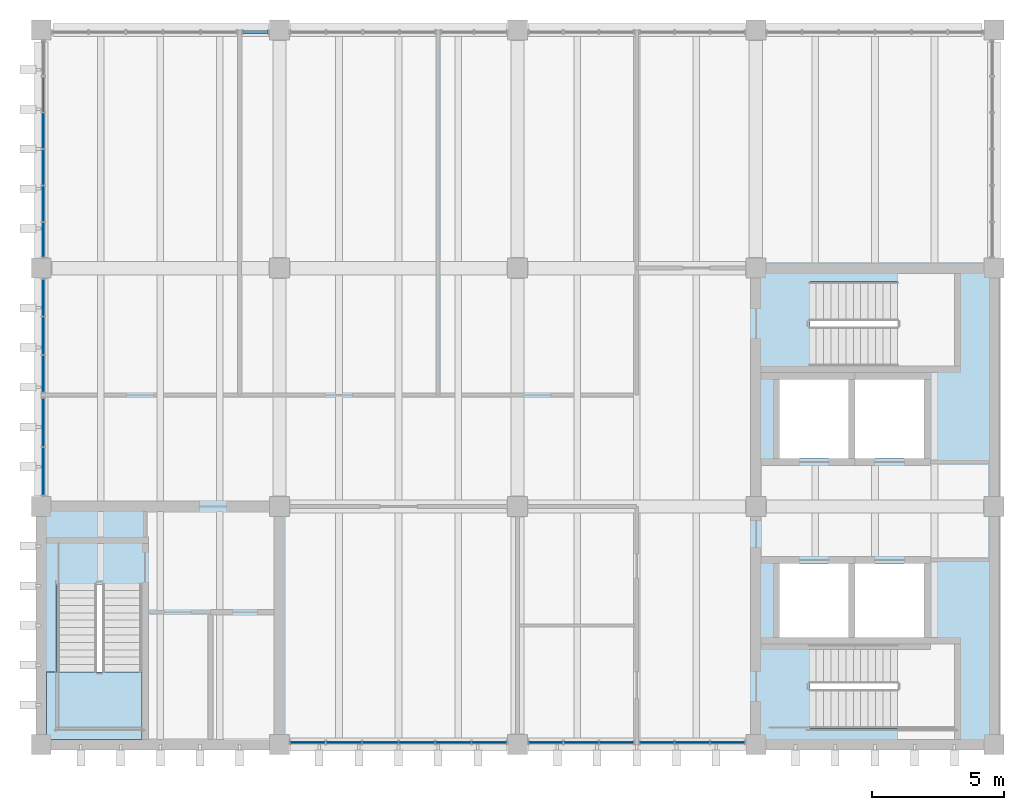
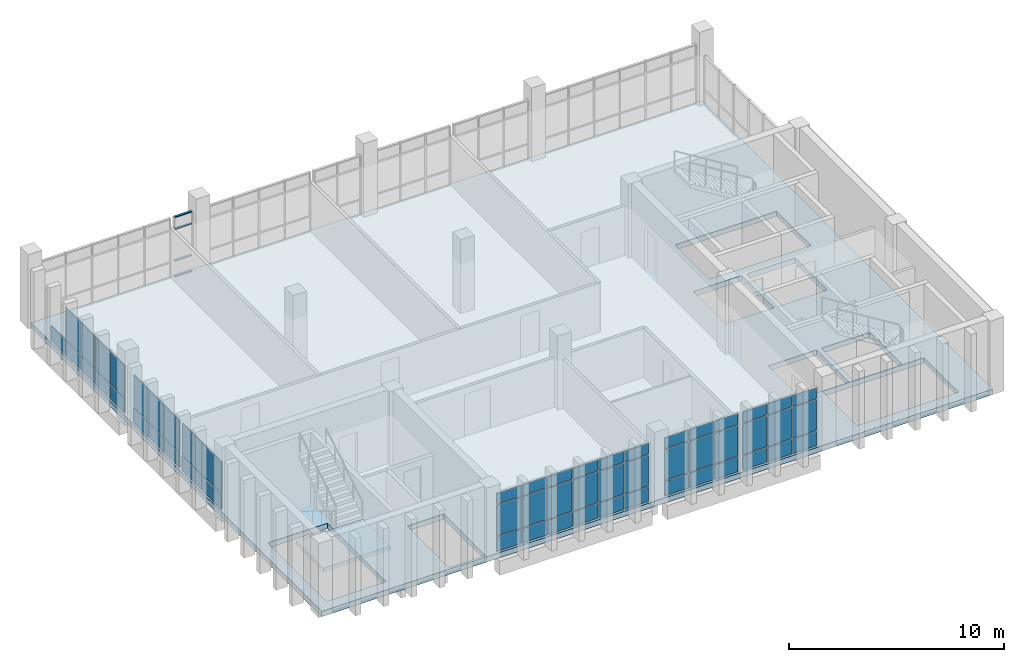
# One storey, part 7 of 14: 55 plates, 4 members, 2 slabs, 8 elements without a shape of their own.
"""IFC4 building model written with IfcOpenShell, lengths in metres."""

import ifcopenshell
import ifcopenshell.guid

model = None  # the IFC model being written
_history = None  # IfcOwnerHistory: only IFC2X3 demands one
_inside = {}  # id of a spatial element -> (the spatial element, [elements in it])
_under = {}  # id of a project, library or spatial element -> (it, [spatial elements below it])
_declared = {}  # id of a project -> (the project, [libraries it declares])
_typed = {}  # id of a type object -> (the type object, [elements of that type])
_made_of = {}  # id of a material, layer set ... -> (it, [elements and type objects made of it])


def new_model(schema):
    """Start an empty IFC model of exactly this schema.

    Asked for "IFC4X3", IfcOpenShell would pick the latest addendum, in which some entities
    have other attributes; the version numbers below select the first issue.
    IFC2X3 requires an IfcOwnerHistory on every rooted entity: one is made here for all.
    """
    global model, _history
    if schema == "IFC4X3":
        model = ifcopenshell.file(schema_version=(4, 3, 0, 0))
    else:
        model = ifcopenshell.file(schema=schema)
    _inside.clear()
    _under.clear()
    _declared.clear()
    _typed.clear()
    _made_of.clear()
    _history = None
    if model.schema == "IFC2X3":
        org = make("IfcOrganization", Name="unknown")
        user = make(
            "IfcPersonAndOrganization",
            ThePerson=make("IfcPerson", FamilyName="unknown"),
            TheOrganization=org,
        )
        app = make(
            "IfcApplication",
            ApplicationDeveloper=org,
            Version="unknown",
            ApplicationFullName="unknown",
            ApplicationIdentifier="unknown",
        )
        _history = make(
            "IfcOwnerHistory",
            OwningUser=user,
            OwningApplication=app,
            ChangeAction="ADDED",
            CreationDate=0,
        )
    return model


def make(cls, **values):
    """One entity of the class cls with the attributes given. An attribute that is None is left unset."""
    return model.create_entity(
        cls, **{name: value for name, value in values.items() if value is not None}
    )


def rooted(cls, **values):
    """An entity with a GlobalId (a new one), such as an element, a storey or a relation."""
    return make(cls, GlobalId=ifcopenshell.guid.new(), OwnerHistory=_history, **values)


def si_unit(unit_type, name, prefix=None):
    """IfcSIUnit, for example si_unit("LENGTHUNIT", "METRE", prefix="MILLI")."""
    return make("IfcSIUnit", UnitType=unit_type, Prefix=prefix, Name=name)


def assignment(units):
    """IfcUnitAssignment: the units of a project."""
    return None if units is None else make("IfcUnitAssignment", Units=units)


def point(xyz):
    """IfcCartesianPoint."""
    return None if xyz is None else make("IfcCartesianPoint", Coordinates=xyz)


def direction(xyz):
    """IfcDirection."""
    return None if xyz is None else make("IfcDirection", DirectionRatios=xyz)


def frame(location, z_axis=None, x_axis=None):
    """IfcAxis2Placement3D, a coordinate frame: its origin and axes. An axis left out is left unset."""
    return make(
        "IfcAxis2Placement3D",
        Location=point(location),
        Axis=direction(z_axis),
        RefDirection=direction(x_axis),
    )


def frame_2d(location, x_axis=None):
    """IfcAxis2Placement2D, a coordinate frame in the plane: its origin and x axis."""
    return make(
        "IfcAxis2Placement2D", Location=point(location), RefDirection=direction(x_axis)
    )


def origin():
    """The frame at (0, 0, 0) with its axes left unset."""
    return frame((0.0, 0.0, 0.0))


def origin_2d():
    """The frame at (0, 0) in the plane with its x axis left unset."""
    return frame_2d((0.0, 0.0))


def place(relative_to, where):
    """IfcLocalPlacement: puts the frame where relative to a parent placement (None: the world)."""
    return make(
        "IfcLocalPlacement", PlacementRelTo=relative_to, RelativePlacement=where
    )


def context(
    kind, dimensions, precision=None, world=None, true_north=None, identifier=None
):
    """IfcGeometricRepresentationContext, for example the 3D "Model" context."""
    return make(
        "IfcGeometricRepresentationContext",
        ContextIdentifier=identifier,
        ContextType=kind,
        CoordinateSpaceDimension=dimensions,
        Precision=precision,
        WorldCoordinateSystem=world,
        TrueNorth=true_north,
    )


def subcontext(parent, identifier, kind, view, scale=None):
    """IfcGeometricRepresentationSubContext, for example "Body" below "Model"."""
    return make(
        "IfcGeometricRepresentationSubContext",
        ContextIdentifier=identifier,
        ContextType=kind,
        ParentContext=parent,
        TargetScale=scale,
        TargetView=view,
    )


def project(units=None, contexts=None):
    """IfcProject with its units and contexts."""
    return rooted(
        "IfcProject",
        Name="project",
        RepresentationContexts=contexts,
        UnitsInContext=assignment(units),
    )


def spatial(cls, under=None, at=None, **own):
    """A site, building, storey or space (cls), placed at a placement, below another one or the project."""
    s = rooted(cls, ObjectPlacement=at, **own)
    if under is not None:
        _under.setdefault(under.id(), (under, []))[1].append(s)
    return s


def polyline(points):
    """IfcPolyline through the points."""
    return make("IfcPolyline", Points=[point(p) for p in points])


def profile(cls, at=None, kind="AREA", **sizes):
    """A parametric profile (cls). Its sizes go by their IFC names, for example OverallWidth=200.0."""
    return make(cls, ProfileType=kind, Position=at, **sizes)


def rectangle(**sizes):
    """IfcRectangleProfileDef."""
    return profile("IfcRectangleProfileDef", **sizes)


def outline(outer, holes=None, kind="AREA"):
    """IfcArbitraryClosedProfileDef: a profile drawn as a closed curve; with holes, ...WithVoids."""
    if holes is None:
        return make("IfcArbitraryClosedProfileDef", ProfileType=kind, OuterCurve=outer)
    return make(
        "IfcArbitraryProfileDefWithVoids",
        ProfileType=kind,
        OuterCurve=outer,
        InnerCurves=holes,
    )


def extrude(swept, where, along, depth):
    """IfcExtrudedAreaSolid: the profile swept, set in the frame where, extruded along a direction by depth."""
    return make(
        "IfcExtrudedAreaSolid",
        SweptArea=swept,
        Position=where,
        ExtrudedDirection=direction(along),
        Depth=depth,
    )


def shape(context_of_items, identifier, shape_type, items):
    """IfcShapeRepresentation: the items that make up one representation, for example the "Body"."""
    return make(
        "IfcShapeRepresentation",
        ContextOfItems=context_of_items,
        RepresentationIdentifier=identifier,
        RepresentationType=shape_type,
        Items=items,
    )


def material(Name=None, Category=None):
    """IfcMaterial."""
    return make("IfcMaterial", Name=Name, Category=Category)


def layer(
    of_material, thickness, ventilated=None, Name=None, Category=None, Priority=None
):
    """IfcMaterialLayer: one layer of a wall or slab, of a material (None: an air gap)."""
    return make(
        "IfcMaterialLayer",
        Material=of_material,
        LayerThickness=thickness,
        IsVentilated=ventilated,
        Name=Name,
        Category=Category,
        Priority=Priority,
    )


def layer_set(layers, Name=None):
    """IfcMaterialLayerSet."""
    return make("IfcMaterialLayerSet", MaterialLayers=layers, LayerSetName=Name)


def material_profile(
    of_material, cross_section, Name=None, Category=None, Priority=None
):
    """IfcMaterialProfile: a cross section and its material."""
    return make(
        "IfcMaterialProfile",
        Name=Name,
        Material=of_material,
        Profile=cross_section,
        Priority=Priority,
        Category=Category,
    )


def profile_set(profiles, Name=None, composite=None):
    """IfcMaterialProfileSet."""
    return make(
        "IfcMaterialProfileSet",
        Name=Name,
        MaterialProfiles=profiles,
        CompositeProfile=composite,
    )


def made_of(thing, what):
    """Note that an element or type object is made of a material, layer set ...; save() writes the relation."""
    if what is not None:
        _made_of.setdefault(what.id(), (what, []))[1].append(thing)
    return thing


def type_object(cls, material=None, **own):
    """A type object (cls), such as IfcWallType, which elements share."""
    return made_of(rooted(cls, **own), material)


def element(
    cls,
    number,
    at=None,
    inside=None,
    cuts=None,
    type_object=None,
    material=None,
    context=None,
    identifier="Body",
    shape_type=None,
    held_by="IfcProductDefinitionShape",
    body=None,
    shapes=None,
    **own,
):
    """One element of the class cls, such as IfcWall. Its Tag is "e" and its number.

    at: its placement. inside: the storey or other place that contains it. cuts: it is an
    opening in that element (IfcRelVoidsElement). A single representation is given by context,
    identifier, shape_type and body (its items); several are given by shapes. held_by: the class
    of the entity that holds the representations. save() writes the other relations.
    """
    e = rooted(cls, Tag="e%d" % number, ObjectPlacement=at, **own)
    if body is not None:
        shapes = [shape(context, identifier, shape_type, body)]
    if shapes is not None:
        e.Representation = make(held_by, Representations=shapes)
    if inside is not None:
        _inside.setdefault(inside.id(), (inside, []))[1].append(e)
    if cuts is not None:
        rooted(
            "IfcRelVoidsElement", RelatingBuildingElement=cuts, RelatedOpeningElement=e
        )
    if type_object is not None:
        _typed.setdefault(type_object.id(), (type_object, []))[1].append(e)
    return made_of(e, material)


def aggregate(whole, parts):
    """IfcRelAggregates: a whole, such as a stair, and the parts it consists of."""
    return rooted("IfcRelAggregates", RelatingObject=whole, RelatedObjects=parts)


def save(model, path):
    """Write the relations noted so far, then the file.

    IfcRelAggregates (storeys below a building ...), IfcRelContainedInSpatialStructure (elements
    in a storey), IfcRelDefinesByType, IfcRelAssociatesMaterial and IfcRelDeclares: one each for
    every whole, place, type object, material and project.
    """
    for whole, parts in _under.values():
        aggregate(whole, parts)
    for where, things in _inside.values():
        rooted(
            "IfcRelContainedInSpatialStructure",
            RelatedElements=things,
            RelatingStructure=where,
        )
    for kind, things in _typed.values():
        rooted("IfcRelDefinesByType", RelatedObjects=things, RelatingType=kind)
    for what, things in _made_of.values():
        rooted("IfcRelAssociatesMaterial", RelatedObjects=things, RelatingMaterial=what)
    for by, libraries in _declared.values():
        rooted("IfcRelDeclares", RelatingContext=by, RelatedDefinitions=libraries)
    model.write(path)


model = new_model("IFC4")

# Units and contexts
model_context = context("Model", 3, precision=1e-05, world=origin(), true_north=direction((0.0, 1.0)))
body_context = subcontext(model_context, "Body", "Model", "MODEL_VIEW")
ifc_project = project(units=[si_unit("LENGTHUNIT", "METRE"), si_unit("AREAUNIT", "SQUARE_METRE"), si_unit("VOLUMEUNIT", "CUBIC_METRE"), si_unit("PLANEANGLEUNIT", "RADIAN"), si_unit("MASSUNIT", "GRAM", prefix="KILO")], contexts=[model_context])

# Site, building, storey
site_placement = place(None, origin())
site = spatial("IfcSite", under=ifc_project, at=site_placement, CompositionType="ELEMENT")
building_placement = place(site_placement, origin())
building = spatial("IfcBuilding", under=site, at=building_placement, Name="Merrow Basin Faculty of Sciences", CompositionType="ELEMENT")
storey_placement = place(building_placement, frame((0.0, 0.0, 27.0)))
storey = spatial("IfcBuildingStorey", under=building, at=storey_placement, Name="L06", CompositionType="ELEMENT", Elevation=27.0)

# Curtain wall, members
ifc_material_1 = material(Name="Aluminium alloy 6063", Category="aluminium")
curtain_wall_type = type_object("IfcCurtainWallType", Name="Unitised curtain wall 160", PredefinedType="NOTDEFINED", material=ifc_material_1)
curtain_wall_1_placement = place(storey_placement, origin())
curtain_wall_1 = element("IfcCurtainWall", 1, at=curtain_wall_1_placement, inside=storey, type_object=curtain_wall_type, Name="N curtain wall L06 2", PredefinedType="NOTDEFINED")
ifc_material_2 = material(Name="Aluminium alloy 6063", Category="aluminium")
ifc_material_profile = material_profile(ifc_material_2, rectangle(XDim=0.1201171875, YDim=0.06005859375, at=origin_2d()))
ifc_profile_set = profile_set([ifc_material_profile], Name="Aluminium alloy 6063")
member_type = type_object("IfcMemberType", Name="Aluminium transom 60x120", PredefinedType="USERDEFINED", material=ifc_profile_set)
member_1_placement = place(storey_placement, frame((25.635009765625, 168.919921875, 0.030029296875), z_axis=(1.0, 0.0, 0.0), x_axis=(0.0, 1.0, 0.0)))
member_1 = element("IfcMember", 2, at=member_1_placement, type_object=member_type, Name="CW3 transom 1.1", ObjectType="TRANSOM", PredefinedType="USERDEFINED", context=body_context, shape_type="SweptSolid", body=[
    extrude(rectangle(XDim=0.1201171875, YDim=0.06005859375, at=origin_2d()), origin(), (0.0, 0.0, 1.0), 0.929931640625),
])
member_2_placement = place(storey_placement, frame((25.635009765625, 168.919921875, 0.89990234375), z_axis=(1.0, 0.0, 0.0), x_axis=(0.0, 1.0, 0.0)))
member_2 = element("IfcMember", 3, at=member_2_placement, type_object=member_type, Name="CW3 transom 1.2", ObjectType="TRANSOM", PredefinedType="USERDEFINED", context=body_context, shape_type="SweptSolid", body=[
    extrude(rectangle(XDim=0.1201171875, YDim=0.06005859375, at=origin_2d()), origin(), (0.0, 0.0, 1.0), 0.929931640625),
])
member_3_placement = place(storey_placement, frame((25.635009765625, 168.919921875, 2.699951171875), z_axis=(1.0, 0.0, 0.0), x_axis=(0.0, 1.0, 0.0)))
member_3 = element("IfcMember", 4, at=member_3_placement, type_object=member_type, Name="CW3 transom 1.3", ObjectType="TRANSOM", PredefinedType="USERDEFINED", context=body_context, shape_type="SweptSolid", body=[
    extrude(rectangle(XDim=0.1201171875, YDim=0.06005859375, at=origin_2d()), origin(), (0.0, 0.0, 1.0), 0.929931640625),
])
member_4_placement = place(storey_placement, frame((25.635009765625, 168.919921875, 3.3701171875), z_axis=(1.0, 0.0, 0.0), x_axis=(0.0, 1.0, 0.0)))
member_4 = element("IfcMember", 5, at=member_4_placement, type_object=member_type, Name="CW3 transom 1.4", ObjectType="TRANSOM", PredefinedType="USERDEFINED", context=body_context, shape_type="SweptSolid", body=[
    extrude(rectangle(XDim=0.1201171875, YDim=0.06005859375, at=origin_2d()), origin(), (0.0, 0.0, 1.0), 0.929931640625),
])
aggregate(curtain_wall_1, [member_1, member_2, member_3, member_4])

# Slab
ifc_material_3 = material(Name="Concrete C40/50", Category="concrete")
ifc_layer_1 = layer(ifc_material_3, 0.300048828125)
ifc_layer_set_1 = layer_set([ifc_layer_1], Name="Floor slab 300 Concrete C40/50")
slab_type_1 = type_object("IfcSlabType", Name="Floor slab 300 Concrete C40/50", PredefinedType="FLOOR", material=ifc_layer_set_1)
slab_1_placement = place(storey_placement, frame((0.0, 0.0, -0.300048828125)))
element("IfcSlab", 6, at=slab_1_placement, inside=storey, type_object=slab_type_1, Name="SL11 floor L06 001", PredefinedType="FLOOR", context=body_context, shape_type="SweptSolid", body=[
    extrude(outline(polyline([(18.0, 169.0), (54.0, 169.0), (54.0, 142.0), (18.0, 142.0), (18.0, 169.0)]), holes=[polyline([(47.050048828125, 142.60009765625), (52.5, 142.60009765625), (52.5, 145.800048828125), (47.050048828125, 145.800048828125), (47.050048828125, 142.60009765625)]), polyline([(47.050048828125, 156.300048828125), (52.5, 156.300048828125), (52.5, 159.5), (47.050048828125, 159.5), (47.050048828125, 156.300048828125)]), polyline([(48.75, 145.85009765625), (51.35009765625, 145.85009765625), (51.35009765625, 148.85009765625), (48.75, 148.85009765625), (48.75, 145.85009765625)]), polyline([(48.75, 152.800048828125), (51.35009765625, 152.800048828125), (51.35009765625, 155.800048828125), (48.75, 155.800048828125), (48.75, 152.800048828125)]), polyline([(45.89990234375, 145.85009765625), (48.5, 145.85009765625), (48.5, 148.85009765625), (45.89990234375, 148.85009765625), (45.89990234375, 145.85009765625)]), polyline([(45.89990234375, 152.800048828125), (48.5, 152.800048828125), (48.5, 155.800048828125), (45.89990234375, 155.800048828125), (45.89990234375, 152.800048828125)]), polyline([(24.90087890625, 142.14990234375), (26.85009765625, 142.14990234375), (26.85009765625, 146.0), (24.90087890625, 146.0), (24.90087890625, 142.14990234375)]), polyline([(18.60009765625, 142.60009765625), (21.800048828125, 142.60009765625), (21.800048828125, 148.050048828125), (18.60009765625, 148.050048828125), (18.60009765625, 142.60009765625)])]), origin(), (0.0, 0.0, 1.0), 0.300048828125),
])

# Curtain wall, plates
curtain_wall_2_placement = place(storey_placement, origin())
curtain_wall_2 = element("IfcCurtainWall", 7, at=curtain_wall_2_placement, inside=storey, type_object=curtain_wall_type, Name="W curtain wall L06 1", PredefinedType="NOTDEFINED")
ifc_material_4 = material(Name="Insulated aluminium spandrel panel", Category="aluminium")
ifc_layer_2 = layer(ifc_material_4, 0.052001953125)
ifc_layer_set_2 = layer_set([ifc_layer_2], Name="Insulated spandrel panel 52")
plate_type_1 = type_object("IfcPlateType", Name="Insulated spandrel panel 52", PredefinedType="CURTAIN_PANEL", material=ifc_layer_set_2)
plate_1_placement = place(storey_placement, frame((18.080078125, 152.327392578125, 0.06005859375), z_axis=(0.0, 0.0, 1.0), x_axis=(0.0, 1.0, 0.0)))
plate_1 = element("IfcPlate", 8, at=plate_1_placement, type_object=plate_type_1, Name="CW3 panel 1.1", PredefinedType="CURTAIN_PANEL", context=body_context, shape_type="SweptSolid", body=[
    extrude(rectangle(XDim=1.784912109375, YDim=0.052001953125, at=origin_2d()), origin(), (0.0, 0.0, 1.0), 0.81005859375),
])
plate_2_placement = place(storey_placement, frame((18.080078125, 154.172607421875, 0.06005859375), z_axis=(0.0, 0.0, 1.0), x_axis=(0.0, 1.0, 0.0)))
plate_2 = element("IfcPlate", 9, at=plate_2_placement, type_object=plate_type_1, Name="CW3 panel 2.1", PredefinedType="CURTAIN_PANEL", context=body_context, shape_type="SweptSolid", body=[
    extrude(rectangle(XDim=1.784912109375, YDim=0.052001953125, at=origin_2d()), origin(), (0.0, 0.0, 1.0), 0.81005859375),
])

curtain_wall_3_placement = place(storey_placement, origin())
curtain_wall_3 = element("IfcCurtainWall", 10, at=curtain_wall_3_placement, inside=storey, type_object=curtain_wall_type, Name="W curtain wall L06 2", PredefinedType="NOTDEFINED")
plate_3_placement = place(storey_placement, frame((18.080078125, 156.014892578125, 0.06005859375), z_axis=(0.0, 0.0, 1.0), x_axis=(0.0, 1.0, 0.0)))
plate_3 = element("IfcPlate", 11, at=plate_3_placement, type_object=plate_type_1, Name="CW3 panel 1.1", PredefinedType="CURTAIN_PANEL", context=body_context, shape_type="SweptSolid", body=[
    extrude(rectangle(XDim=1.360107421875, YDim=0.052001953125, at=origin_2d()), origin(), (0.0, 0.0, 1.0), 0.81005859375),
])
plate_4_placement = place(storey_placement, frame((18.080078125, 157.449951171875, 0.06005859375), z_axis=(0.0, 0.0, 1.0), x_axis=(0.0, 1.0, 0.0)))
plate_4 = element("IfcPlate", 12, at=plate_4_placement, type_object=plate_type_1, Name="CW3 panel 2.1", PredefinedType="CURTAIN_PANEL", context=body_context, shape_type="SweptSolid", body=[
    extrude(rectangle(XDim=1.389892578125, YDim=0.052001953125, at=origin_2d()), origin(), (0.0, 0.0, 1.0), 0.81005859375),
])
plate_5_placement = place(storey_placement, frame((18.080078125, 158.885009765625, 0.06005859375), z_axis=(0.0, 0.0, 1.0), x_axis=(0.0, 1.0, 0.0)))
plate_5 = element("IfcPlate", 13, at=plate_5_placement, type_object=plate_type_1, Name="CW3 panel 3.1", PredefinedType="CURTAIN_PANEL", context=body_context, shape_type="SweptSolid", body=[
    extrude(rectangle(XDim=1.360107421875, YDim=0.052001953125, at=origin_2d()), origin(), (0.0, 0.0, 1.0), 0.81005859375),
])

curtain_wall_4_placement = place(storey_placement, origin())
curtain_wall_4 = element("IfcCurtainWall", 14, at=curtain_wall_4_placement, inside=storey, type_object=curtain_wall_type, Name="W curtain wall L06 3", PredefinedType="NOTDEFINED")
plate_6_placement = place(storey_placement, frame((18.080078125, 161.077392578125, 0.06005859375), z_axis=(0.0, 0.0, 1.0), x_axis=(0.0, 1.0, 0.0)))
plate_6 = element("IfcPlate", 15, at=plate_6_placement, type_object=plate_type_1, Name="CW3 panel 1.1", PredefinedType="CURTAIN_PANEL", context=body_context, shape_type="SweptSolid", body=[
    extrude(rectangle(XDim=1.284912109375, YDim=0.052001953125, at=origin_2d()), origin(), (0.0, 0.0, 1.0), 0.81005859375),
])
plate_7_placement = place(storey_placement, frame((18.080078125, 162.4375, 0.06005859375), z_axis=(0.0, 0.0, 1.0), x_axis=(0.0, 1.0, 0.0)))
plate_7 = element("IfcPlate", 16, at=plate_7_placement, type_object=plate_type_1, Name="CW3 panel 2.1", PredefinedType="CURTAIN_PANEL", context=body_context, shape_type="SweptSolid", body=[
    extrude(rectangle(XDim=1.31494140625, YDim=0.052001953125, at=origin_2d()), origin(), (0.0, 0.0, 1.0), 0.81005859375),
])
plate_8_placement = place(storey_placement, frame((18.080078125, 163.8125, 0.06005859375), z_axis=(0.0, 0.0, 1.0), x_axis=(0.0, 1.0, 0.0)))
plate_8 = element("IfcPlate", 17, at=plate_8_placement, type_object=plate_type_1, Name="CW3 panel 3.1", PredefinedType="CURTAIN_PANEL", context=body_context, shape_type="SweptSolid", body=[
    extrude(rectangle(XDim=1.31494140625, YDim=0.052001953125, at=origin_2d()), origin(), (0.0, 0.0, 1.0), 0.81005859375),
])
plate_9_placement = place(storey_placement, frame((18.080078125, 165.1875, 0.06005859375), z_axis=(0.0, 0.0, 1.0), x_axis=(0.0, 1.0, 0.0)))
plate_9 = element("IfcPlate", 18, at=plate_9_placement, type_object=plate_type_1, Name="CW3 panel 4.1", PredefinedType="CURTAIN_PANEL", context=body_context, shape_type="SweptSolid", body=[
    extrude(rectangle(XDim=1.31494140625, YDim=0.052001953125, at=origin_2d()), origin(), (0.0, 0.0, 1.0), 0.81005859375),
])
plate_10_placement = place(storey_placement, frame((18.080078125, 166.5625, 0.06005859375), z_axis=(0.0, 0.0, 1.0), x_axis=(0.0, 1.0, 0.0)))
plate_10 = element("IfcPlate", 19, at=plate_10_placement, type_object=plate_type_1, Name="CW3 panel 5.1", PredefinedType="CURTAIN_PANEL", context=body_context, shape_type="SweptSolid", body=[
    extrude(rectangle(XDim=1.31494140625, YDim=0.052001953125, at=origin_2d()), origin(), (0.0, 0.0, 1.0), 0.81005859375),
])

curtain_wall_5_placement = place(storey_placement, origin())
curtain_wall_5 = element("IfcCurtainWall", 20, at=curtain_wall_5_placement, inside=storey, type_object=curtain_wall_type, Name="S curtain wall L06 1", PredefinedType="NOTDEFINED")
plate_11_placement = place(storey_placement, frame((28.077392578125, 142.080078125, 0.06005859375), z_axis=(0.0, 0.0, 1.0), x_axis=(1.0, 0.0, 0.0)))
plate_11 = element("IfcPlate", 21, at=plate_11_placement, type_object=plate_type_1, Name="CW3 panel 1.1", PredefinedType="CURTAIN_PANEL", context=body_context, shape_type="SweptSolid", body=[
    extrude(rectangle(XDim=1.284912109375, YDim=0.052001953125, at=origin_2d()), origin(), (0.0, 0.0, 1.0), 0.81005859375),
])
plate_12_placement = place(storey_placement, frame((29.4375, 142.080078125, 0.06005859375), z_axis=(0.0, 0.0, 1.0), x_axis=(1.0, 0.0, 0.0)))
plate_12 = element("IfcPlate", 22, at=plate_12_placement, type_object=plate_type_1, Name="CW3 panel 2.1", PredefinedType="CURTAIN_PANEL", context=body_context, shape_type="SweptSolid", body=[
    extrude(rectangle(XDim=1.31494140625, YDim=0.052001953125, at=origin_2d()), origin(), (0.0, 0.0, 1.0), 0.81005859375),
])
plate_13_placement = place(storey_placement, frame((30.8125, 142.080078125, 0.06005859375), z_axis=(0.0, 0.0, 1.0), x_axis=(1.0, 0.0, 0.0)))
plate_13 = element("IfcPlate", 23, at=plate_13_placement, type_object=plate_type_1, Name="CW3 panel 3.1", PredefinedType="CURTAIN_PANEL", context=body_context, shape_type="SweptSolid", body=[
    extrude(rectangle(XDim=1.31494140625, YDim=0.052001953125, at=origin_2d()), origin(), (0.0, 0.0, 1.0), 0.81005859375),
])
plate_14_placement = place(storey_placement, frame((32.1875, 142.080078125, 0.06005859375), z_axis=(0.0, 0.0, 1.0), x_axis=(1.0, 0.0, 0.0)))
plate_14 = element("IfcPlate", 24, at=plate_14_placement, type_object=plate_type_1, Name="CW3 panel 4.1", PredefinedType="CURTAIN_PANEL", context=body_context, shape_type="SweptSolid", body=[
    extrude(rectangle(XDim=1.31494140625, YDim=0.052001953125, at=origin_2d()), origin(), (0.0, 0.0, 1.0), 0.81005859375),
])
plate_15_placement = place(storey_placement, frame((33.5625, 142.080078125, 0.06005859375), z_axis=(0.0, 0.0, 1.0), x_axis=(1.0, 0.0, 0.0)))
plate_15 = element("IfcPlate", 25, at=plate_15_placement, type_object=plate_type_1, Name="CW3 panel 5.1", PredefinedType="CURTAIN_PANEL", context=body_context, shape_type="SweptSolid", body=[
    extrude(rectangle(XDim=1.31494140625, YDim=0.052001953125, at=origin_2d()), origin(), (0.0, 0.0, 1.0), 0.81005859375),
])
plate_16_placement = place(storey_placement, frame((34.922607421875, 142.080078125, 0.06005859375), z_axis=(0.0, 0.0, 1.0), x_axis=(1.0, 0.0, 0.0)))
plate_16 = element("IfcPlate", 26, at=plate_16_placement, type_object=plate_type_1, Name="CW3 panel 6.1", PredefinedType="CURTAIN_PANEL", context=body_context, shape_type="SweptSolid", body=[
    extrude(rectangle(XDim=1.284912109375, YDim=0.052001953125, at=origin_2d()), origin(), (0.0, 0.0, 1.0), 0.81005859375),
])

curtain_wall_6_placement = place(storey_placement, origin())
curtain_wall_6 = element("IfcCurtainWall", 27, at=curtain_wall_6_placement, inside=storey, type_object=curtain_wall_type, Name="S curtain wall L06 2", PredefinedType="NOTDEFINED")
plate_17_placement = place(storey_placement, frame((37.06494140625, 142.080078125, 0.06005859375), z_axis=(0.0, 0.0, 1.0), x_axis=(1.0, 0.0, 0.0)))
plate_17 = element("IfcPlate", 28, at=plate_17_placement, type_object=plate_type_1, Name="CW3 panel 1.1", PredefinedType="CURTAIN_PANEL", context=body_context, shape_type="SweptSolid", body=[
    extrude(rectangle(XDim=1.260009765625, YDim=0.052001953125, at=origin_2d()), origin(), (0.0, 0.0, 1.0), 0.81005859375),
])
plate_18_placement = place(storey_placement, frame((38.39990234375, 142.080078125, 0.06005859375), z_axis=(0.0, 0.0, 1.0), x_axis=(1.0, 0.0, 0.0)))
plate_18 = element("IfcPlate", 29, at=plate_18_placement, type_object=plate_type_1, Name="CW3 panel 2.1", PredefinedType="CURTAIN_PANEL", context=body_context, shape_type="SweptSolid", body=[
    extrude(rectangle(XDim=1.2900390625, YDim=0.052001953125, at=origin_2d()), origin(), (0.0, 0.0, 1.0), 0.81005859375),
])
plate_19_placement = place(storey_placement, frame((39.735107421875, 142.080078125, 0.06005859375), z_axis=(0.0, 0.0, 1.0), x_axis=(1.0, 0.0, 0.0)))
plate_19 = element("IfcPlate", 30, at=plate_19_placement, type_object=plate_type_1, Name="CW3 panel 3.1", PredefinedType="CURTAIN_PANEL", context=body_context, shape_type="SweptSolid", body=[
    extrude(rectangle(XDim=1.260009765625, YDim=0.052001953125, at=origin_2d()), origin(), (0.0, 0.0, 1.0), 0.81005859375),
])

curtain_wall_7_placement = place(storey_placement, origin())
curtain_wall_7 = element("IfcCurtainWall", 31, at=curtain_wall_7_placement, inside=storey, type_object=curtain_wall_type, Name="S curtain wall L06 3", PredefinedType="NOTDEFINED")
plate_20_placement = place(storey_placement, frame((41.264892578125, 142.080078125, 0.06005859375), z_axis=(0.0, 0.0, 1.0), x_axis=(1.0, 0.0, 0.0)))
plate_20 = element("IfcPlate", 32, at=plate_20_placement, type_object=plate_type_1, Name="CW3 panel 1.1", PredefinedType="CURTAIN_PANEL", context=body_context, shape_type="SweptSolid", body=[
    extrude(rectangle(XDim=1.260009765625, YDim=0.052001953125, at=origin_2d()), origin(), (0.0, 0.0, 1.0), 0.81005859375),
])
plate_21_placement = place(storey_placement, frame((42.60009765625, 142.080078125, 0.06005859375), z_axis=(0.0, 0.0, 1.0), x_axis=(1.0, 0.0, 0.0)))
plate_21 = element("IfcPlate", 33, at=plate_21_placement, type_object=plate_type_1, Name="CW3 panel 2.1", PredefinedType="CURTAIN_PANEL", context=body_context, shape_type="SweptSolid", body=[
    extrude(rectangle(XDim=1.2900390625, YDim=0.052001953125, at=origin_2d()), origin(), (0.0, 0.0, 1.0), 0.81005859375),
])
plate_22_placement = place(storey_placement, frame((43.93505859375, 142.080078125, 0.06005859375), z_axis=(0.0, 0.0, 1.0), x_axis=(1.0, 0.0, 0.0)))
plate_22 = element("IfcPlate", 34, at=plate_22_placement, type_object=plate_type_1, Name="CW3 panel 3.1", PredefinedType="CURTAIN_PANEL", context=body_context, shape_type="SweptSolid", body=[
    extrude(rectangle(XDim=1.260009765625, YDim=0.052001953125, at=origin_2d()), origin(), (0.0, 0.0, 1.0), 0.81005859375),
])

# Plate
ifc_material_5 = material(Name="Low-E double glazing", Category="glass")
ifc_layer_3 = layer(ifc_material_5, 0.028076171875)
ifc_layer_set_3 = layer_set([ifc_layer_3], Name="Low-E double glazed panel 28")
plate_type_2 = type_object("IfcPlateType", Name="Low-E double glazed panel 28", PredefinedType="CURTAIN_PANEL", material=ifc_layer_set_3)
plate_23_placement = place(storey_placement, frame((18.080078125, 152.327392578125, 0.929931640625), z_axis=(0.0, 0.0, 1.0), x_axis=(0.0, 1.0, 0.0)))
plate_23 = element("IfcPlate", 35, at=plate_23_placement, type_object=plate_type_2, Name="CW3 panel 1.2", PredefinedType="CURTAIN_PANEL", context=body_context, shape_type="SweptSolid", body=[
    extrude(rectangle(XDim=1.784912109375, YDim=0.028076171875, at=origin_2d()), origin(), (0.0, 0.0, 1.0), 1.81005859375),
])

plate_24_placement = place(storey_placement, frame((18.080078125, 154.172607421875, 0.929931640625), z_axis=(0.0, 0.0, 1.0), x_axis=(0.0, 1.0, 0.0)))
plate_24 = element("IfcPlate", 36, at=plate_24_placement, type_object=plate_type_2, Name="CW3 panel 2.2", PredefinedType="CURTAIN_PANEL", context=body_context, shape_type="SweptSolid", body=[
    extrude(rectangle(XDim=1.784912109375, YDim=0.028076171875, at=origin_2d()), origin(), (0.0, 0.0, 1.0), 1.81005859375),
])

aggregate(curtain_wall_2, [plate_1, plate_23, plate_2, plate_24])

plate_25_placement = place(storey_placement, frame((18.080078125, 156.014892578125, 0.929931640625), z_axis=(0.0, 0.0, 1.0), x_axis=(0.0, 1.0, 0.0)))
plate_25 = element("IfcPlate", 37, at=plate_25_placement, type_object=plate_type_2, Name="CW3 panel 1.2", PredefinedType="CURTAIN_PANEL", context=body_context, shape_type="SweptSolid", body=[
    extrude(rectangle(XDim=1.360107421875, YDim=0.028076171875, at=origin_2d()), origin(), (0.0, 0.0, 1.0), 1.81005859375),
])

plate_26_placement = place(storey_placement, frame((18.080078125, 157.449951171875, 0.929931640625), z_axis=(0.0, 0.0, 1.0), x_axis=(0.0, 1.0, 0.0)))
plate_26 = element("IfcPlate", 38, at=plate_26_placement, type_object=plate_type_2, Name="CW3 panel 2.2", PredefinedType="CURTAIN_PANEL", context=body_context, shape_type="SweptSolid", body=[
    extrude(rectangle(XDim=1.389892578125, YDim=0.028076171875, at=origin_2d()), origin(), (0.0, 0.0, 1.0), 1.81005859375),
])

plate_27_placement = place(storey_placement, frame((18.080078125, 158.885009765625, 0.929931640625), z_axis=(0.0, 0.0, 1.0), x_axis=(0.0, 1.0, 0.0)))
plate_27 = element("IfcPlate", 39, at=plate_27_placement, type_object=plate_type_2, Name="CW3 panel 3.2", PredefinedType="CURTAIN_PANEL", context=body_context, shape_type="SweptSolid", body=[
    extrude(rectangle(XDim=1.360107421875, YDim=0.028076171875, at=origin_2d()), origin(), (0.0, 0.0, 1.0), 1.81005859375),
])

aggregate(curtain_wall_3, [plate_3, plate_25, plate_4, plate_26, plate_5, plate_27])

plate_28_placement = place(storey_placement, frame((18.080078125, 161.077392578125, 0.929931640625), z_axis=(0.0, 0.0, 1.0), x_axis=(0.0, 1.0, 0.0)))
plate_28 = element("IfcPlate", 40, at=plate_28_placement, type_object=plate_type_2, Name="CW3 panel 1.2", PredefinedType="CURTAIN_PANEL", context=body_context, shape_type="SweptSolid", body=[
    extrude(rectangle(XDim=1.284912109375, YDim=0.028076171875, at=origin_2d()), origin(), (0.0, 0.0, 1.0), 1.81005859375),
])

plate_29_placement = place(storey_placement, frame((18.080078125, 162.4375, 0.929931640625), z_axis=(0.0, 0.0, 1.0), x_axis=(0.0, 1.0, 0.0)))
plate_29 = element("IfcPlate", 41, at=plate_29_placement, type_object=plate_type_2, Name="CW3 panel 2.2", PredefinedType="CURTAIN_PANEL", context=body_context, shape_type="SweptSolid", body=[
    extrude(rectangle(XDim=1.31494140625, YDim=0.028076171875, at=origin_2d()), origin(), (0.0, 0.0, 1.0), 1.81005859375),
])

plate_30_placement = place(storey_placement, frame((18.080078125, 163.8125, 0.929931640625), z_axis=(0.0, 0.0, 1.0), x_axis=(0.0, 1.0, 0.0)))
plate_30 = element("IfcPlate", 42, at=plate_30_placement, type_object=plate_type_2, Name="CW3 panel 3.2", PredefinedType="CURTAIN_PANEL", context=body_context, shape_type="SweptSolid", body=[
    extrude(rectangle(XDim=1.31494140625, YDim=0.028076171875, at=origin_2d()), origin(), (0.0, 0.0, 1.0), 1.81005859375),
])

plate_31_placement = place(storey_placement, frame((18.080078125, 165.1875, 0.929931640625), z_axis=(0.0, 0.0, 1.0), x_axis=(0.0, 1.0, 0.0)))
plate_31 = element("IfcPlate", 43, at=plate_31_placement, type_object=plate_type_2, Name="CW3 panel 4.2", PredefinedType="CURTAIN_PANEL", context=body_context, shape_type="SweptSolid", body=[
    extrude(rectangle(XDim=1.31494140625, YDim=0.028076171875, at=origin_2d()), origin(), (0.0, 0.0, 1.0), 1.81005859375),
])

aggregate(curtain_wall_4, [plate_6, plate_28, plate_7, plate_29, plate_8, plate_30, plate_9, plate_31, plate_10])

plate_32_placement = place(storey_placement, frame((28.077392578125, 142.080078125, 0.93017578125), z_axis=(0.0, 0.0, 1.0), x_axis=(1.0, 0.0, 0.0)))
plate_32 = element("IfcPlate", 44, at=plate_32_placement, type_object=plate_type_2, Name="CW3 panel 1.2", PredefinedType="CURTAIN_PANEL", context=body_context, shape_type="SweptSolid", body=[
    extrude(rectangle(XDim=1.284912109375, YDim=0.028076171875, at=origin_2d()), origin(), (0.0, 0.0, 1.0), 1.739990234375),
])

plate_33_placement = place(storey_placement, frame((28.077392578125, 142.080078125, 2.72998046875), z_axis=(0.0, 0.0, 1.0), x_axis=(1.0, 0.0, 0.0)))
plate_33 = element("IfcPlate", 45, at=plate_33_placement, type_object=plate_type_2, Name="CW3 panel 1.3", PredefinedType="CURTAIN_PANEL", context=body_context, shape_type="SweptSolid", body=[
    extrude(rectangle(XDim=1.284912109375, YDim=0.028076171875, at=origin_2d()), origin(), (0.0, 0.0, 1.0), 0.610107421875),
])

plate_34_placement = place(storey_placement, frame((29.4375, 142.080078125, 0.93017578125), z_axis=(0.0, 0.0, 1.0), x_axis=(1.0, 0.0, 0.0)))
plate_34 = element("IfcPlate", 46, at=plate_34_placement, type_object=plate_type_2, Name="CW3 panel 2.2", PredefinedType="CURTAIN_PANEL", context=body_context, shape_type="SweptSolid", body=[
    extrude(rectangle(XDim=1.31494140625, YDim=0.028076171875, at=origin_2d()), origin(), (0.0, 0.0, 1.0), 1.739990234375),
])

plate_35_placement = place(storey_placement, frame((29.4375, 142.080078125, 2.72998046875), z_axis=(0.0, 0.0, 1.0), x_axis=(1.0, 0.0, 0.0)))
plate_35 = element("IfcPlate", 47, at=plate_35_placement, type_object=plate_type_2, Name="CW3 panel 2.3", PredefinedType="CURTAIN_PANEL", context=body_context, shape_type="SweptSolid", body=[
    extrude(rectangle(XDim=1.31494140625, YDim=0.028076171875, at=origin_2d()), origin(), (0.0, 0.0, 1.0), 0.610107421875),
])

plate_36_placement = place(storey_placement, frame((30.8125, 142.080078125, 0.93017578125), z_axis=(0.0, 0.0, 1.0), x_axis=(1.0, 0.0, 0.0)))
plate_36 = element("IfcPlate", 48, at=plate_36_placement, type_object=plate_type_2, Name="CW3 panel 3.2", PredefinedType="CURTAIN_PANEL", context=body_context, shape_type="SweptSolid", body=[
    extrude(rectangle(XDim=1.31494140625, YDim=0.028076171875, at=origin_2d()), origin(), (0.0, 0.0, 1.0), 1.739990234375),
])

plate_37_placement = place(storey_placement, frame((30.8125, 142.080078125, 2.72998046875), z_axis=(0.0, 0.0, 1.0), x_axis=(1.0, 0.0, 0.0)))
plate_37 = element("IfcPlate", 49, at=plate_37_placement, type_object=plate_type_2, Name="CW3 panel 3.3", PredefinedType="CURTAIN_PANEL", context=body_context, shape_type="SweptSolid", body=[
    extrude(rectangle(XDim=1.31494140625, YDim=0.028076171875, at=origin_2d()), origin(), (0.0, 0.0, 1.0), 0.610107421875),
])

plate_38_placement = place(storey_placement, frame((32.1875, 142.080078125, 0.93017578125), z_axis=(0.0, 0.0, 1.0), x_axis=(1.0, 0.0, 0.0)))
plate_38 = element("IfcPlate", 50, at=plate_38_placement, type_object=plate_type_2, Name="CW3 panel 4.2", PredefinedType="CURTAIN_PANEL", context=body_context, shape_type="SweptSolid", body=[
    extrude(rectangle(XDim=1.31494140625, YDim=0.028076171875, at=origin_2d()), origin(), (0.0, 0.0, 1.0), 1.739990234375),
])

plate_39_placement = place(storey_placement, frame((32.1875, 142.080078125, 2.72998046875), z_axis=(0.0, 0.0, 1.0), x_axis=(1.0, 0.0, 0.0)))
plate_39 = element("IfcPlate", 51, at=plate_39_placement, type_object=plate_type_2, Name="CW3 panel 4.3", PredefinedType="CURTAIN_PANEL", context=body_context, shape_type="SweptSolid", body=[
    extrude(rectangle(XDim=1.31494140625, YDim=0.028076171875, at=origin_2d()), origin(), (0.0, 0.0, 1.0), 0.610107421875),
])

plate_40_placement = place(storey_placement, frame((33.5625, 142.080078125, 0.93017578125), z_axis=(0.0, 0.0, 1.0), x_axis=(1.0, 0.0, 0.0)))
plate_40 = element("IfcPlate", 52, at=plate_40_placement, type_object=plate_type_2, Name="CW3 panel 5.2", PredefinedType="CURTAIN_PANEL", context=body_context, shape_type="SweptSolid", body=[
    extrude(rectangle(XDim=1.31494140625, YDim=0.028076171875, at=origin_2d()), origin(), (0.0, 0.0, 1.0), 1.739990234375),
])

plate_41_placement = place(storey_placement, frame((33.5625, 142.080078125, 2.72998046875), z_axis=(0.0, 0.0, 1.0), x_axis=(1.0, 0.0, 0.0)))
plate_41 = element("IfcPlate", 53, at=plate_41_placement, type_object=plate_type_2, Name="CW3 panel 5.3", PredefinedType="CURTAIN_PANEL", context=body_context, shape_type="SweptSolid", body=[
    extrude(rectangle(XDim=1.31494140625, YDim=0.028076171875, at=origin_2d()), origin(), (0.0, 0.0, 1.0), 0.610107421875),
])

plate_42_placement = place(storey_placement, frame((34.922607421875, 142.080078125, 0.93017578125), z_axis=(0.0, 0.0, 1.0), x_axis=(1.0, 0.0, 0.0)))
plate_42 = element("IfcPlate", 54, at=plate_42_placement, type_object=plate_type_2, Name="CW3 panel 6.2", PredefinedType="CURTAIN_PANEL", context=body_context, shape_type="SweptSolid", body=[
    extrude(rectangle(XDim=1.284912109375, YDim=0.028076171875, at=origin_2d()), origin(), (0.0, 0.0, 1.0), 1.739990234375),
])

plate_43_placement = place(storey_placement, frame((34.922607421875, 142.080078125, 2.72998046875), z_axis=(0.0, 0.0, 1.0), x_axis=(1.0, 0.0, 0.0)))
plate_43 = element("IfcPlate", 55, at=plate_43_placement, type_object=plate_type_2, Name="CW3 panel 6.3", PredefinedType="CURTAIN_PANEL", context=body_context, shape_type="SweptSolid", body=[
    extrude(rectangle(XDim=1.284912109375, YDim=0.028076171875, at=origin_2d()), origin(), (0.0, 0.0, 1.0), 0.610107421875),
])

aggregate(curtain_wall_5, [plate_11, plate_32, plate_33, plate_12, plate_34, plate_35, plate_13, plate_36, plate_37, plate_14, plate_38, plate_39, plate_15, plate_40, plate_41, plate_16, plate_42, plate_43])

plate_44_placement = place(storey_placement, frame((37.06494140625, 142.080078125, 0.93017578125), z_axis=(0.0, 0.0, 1.0), x_axis=(1.0, 0.0, 0.0)))
plate_44 = element("IfcPlate", 56, at=plate_44_placement, type_object=plate_type_2, Name="CW3 panel 1.2", PredefinedType="CURTAIN_PANEL", context=body_context, shape_type="SweptSolid", body=[
    extrude(rectangle(XDim=1.260009765625, YDim=0.028076171875, at=origin_2d()), origin(), (0.0, 0.0, 1.0), 1.739990234375),
])

plate_45_placement = place(storey_placement, frame((37.06494140625, 142.080078125, 2.72998046875), z_axis=(0.0, 0.0, 1.0), x_axis=(1.0, 0.0, 0.0)))
plate_45 = element("IfcPlate", 57, at=plate_45_placement, type_object=plate_type_2, Name="CW3 panel 1.3", PredefinedType="CURTAIN_PANEL", context=body_context, shape_type="SweptSolid", body=[
    extrude(rectangle(XDim=1.260009765625, YDim=0.028076171875, at=origin_2d()), origin(), (0.0, 0.0, 1.0), 0.610107421875),
])

plate_46_placement = place(storey_placement, frame((38.39990234375, 142.080078125, 0.93017578125), z_axis=(0.0, 0.0, 1.0), x_axis=(1.0, 0.0, 0.0)))
plate_46 = element("IfcPlate", 58, at=plate_46_placement, type_object=plate_type_2, Name="CW3 panel 2.2", PredefinedType="CURTAIN_PANEL", context=body_context, shape_type="SweptSolid", body=[
    extrude(rectangle(XDim=1.2900390625, YDim=0.028076171875, at=origin_2d()), origin(), (0.0, 0.0, 1.0), 1.739990234375),
])

plate_47_placement = place(storey_placement, frame((38.39990234375, 142.080078125, 2.72998046875), z_axis=(0.0, 0.0, 1.0), x_axis=(1.0, 0.0, 0.0)))
plate_47 = element("IfcPlate", 59, at=plate_47_placement, type_object=plate_type_2, Name="CW3 panel 2.3", PredefinedType="CURTAIN_PANEL", context=body_context, shape_type="SweptSolid", body=[
    extrude(rectangle(XDim=1.2900390625, YDim=0.028076171875, at=origin_2d()), origin(), (0.0, 0.0, 1.0), 0.610107421875),
])

plate_48_placement = place(storey_placement, frame((39.735107421875, 142.080078125, 0.93017578125), z_axis=(0.0, 0.0, 1.0), x_axis=(1.0, 0.0, 0.0)))
plate_48 = element("IfcPlate", 60, at=plate_48_placement, type_object=plate_type_2, Name="CW3 panel 3.2", PredefinedType="CURTAIN_PANEL", context=body_context, shape_type="SweptSolid", body=[
    extrude(rectangle(XDim=1.260009765625, YDim=0.028076171875, at=origin_2d()), origin(), (0.0, 0.0, 1.0), 1.739990234375),
])

plate_49_placement = place(storey_placement, frame((39.735107421875, 142.080078125, 2.72998046875), z_axis=(0.0, 0.0, 1.0), x_axis=(1.0, 0.0, 0.0)))
plate_49 = element("IfcPlate", 61, at=plate_49_placement, type_object=plate_type_2, Name="CW3 panel 3.3", PredefinedType="CURTAIN_PANEL", context=body_context, shape_type="SweptSolid", body=[
    extrude(rectangle(XDim=1.260009765625, YDim=0.028076171875, at=origin_2d()), origin(), (0.0, 0.0, 1.0), 0.610107421875),
])

aggregate(curtain_wall_6, [plate_17, plate_44, plate_45, plate_18, plate_46, plate_47, plate_19, plate_48, plate_49])

plate_50_placement = place(storey_placement, frame((41.264892578125, 142.080078125, 0.93017578125), z_axis=(0.0, 0.0, 1.0), x_axis=(1.0, 0.0, 0.0)))
plate_50 = element("IfcPlate", 62, at=plate_50_placement, type_object=plate_type_2, Name="CW3 panel 1.2", PredefinedType="CURTAIN_PANEL", context=body_context, shape_type="SweptSolid", body=[
    extrude(rectangle(XDim=1.260009765625, YDim=0.028076171875, at=origin_2d()), origin(), (0.0, 0.0, 1.0), 1.739990234375),
])

plate_51_placement = place(storey_placement, frame((41.264892578125, 142.080078125, 2.72998046875), z_axis=(0.0, 0.0, 1.0), x_axis=(1.0, 0.0, 0.0)))
plate_51 = element("IfcPlate", 63, at=plate_51_placement, type_object=plate_type_2, Name="CW3 panel 1.3", PredefinedType="CURTAIN_PANEL", context=body_context, shape_type="SweptSolid", body=[
    extrude(rectangle(XDim=1.260009765625, YDim=0.028076171875, at=origin_2d()), origin(), (0.0, 0.0, 1.0), 0.610107421875),
])

plate_52_placement = place(storey_placement, frame((42.60009765625, 142.080078125, 0.93017578125), z_axis=(0.0, 0.0, 1.0), x_axis=(1.0, 0.0, 0.0)))
plate_52 = element("IfcPlate", 64, at=plate_52_placement, type_object=plate_type_2, Name="CW3 panel 2.2", PredefinedType="CURTAIN_PANEL", context=body_context, shape_type="SweptSolid", body=[
    extrude(rectangle(XDim=1.2900390625, YDim=0.028076171875, at=origin_2d()), origin(), (0.0, 0.0, 1.0), 1.739990234375),
])

plate_53_placement = place(storey_placement, frame((42.60009765625, 142.080078125, 2.72998046875), z_axis=(0.0, 0.0, 1.0), x_axis=(1.0, 0.0, 0.0)))
plate_53 = element("IfcPlate", 65, at=plate_53_placement, type_object=plate_type_2, Name="CW3 panel 2.3", PredefinedType="CURTAIN_PANEL", context=body_context, shape_type="SweptSolid", body=[
    extrude(rectangle(XDim=1.2900390625, YDim=0.028076171875, at=origin_2d()), origin(), (0.0, 0.0, 1.0), 0.610107421875),
])

plate_54_placement = place(storey_placement, frame((43.93505859375, 142.080078125, 0.93017578125), z_axis=(0.0, 0.0, 1.0), x_axis=(1.0, 0.0, 0.0)))
plate_54 = element("IfcPlate", 66, at=plate_54_placement, type_object=plate_type_2, Name="CW3 panel 3.2", PredefinedType="CURTAIN_PANEL", context=body_context, shape_type="SweptSolid", body=[
    extrude(rectangle(XDim=1.260009765625, YDim=0.028076171875, at=origin_2d()), origin(), (0.0, 0.0, 1.0), 1.739990234375),
])

plate_55_placement = place(storey_placement, frame((43.93505859375, 142.080078125, 2.72998046875), z_axis=(0.0, 0.0, 1.0), x_axis=(1.0, 0.0, 0.0)))
plate_55 = element("IfcPlate", 67, at=plate_55_placement, type_object=plate_type_2, Name="CW3 panel 3.3", PredefinedType="CURTAIN_PANEL", context=body_context, shape_type="SweptSolid", body=[
    extrude(rectangle(XDim=1.260009765625, YDim=0.028076171875, at=origin_2d()), origin(), (0.0, 0.0, 1.0), 0.610107421875),
])

aggregate(curtain_wall_7, [plate_20, plate_50, plate_51, plate_21, plate_52, plate_53, plate_22, plate_54, plate_55])

# Stair, slab
ifc_material_6 = material(Name="Concrete C40/50", Category="concrete")
stair_type = type_object("IfcStairType", Name="Concrete dog-leg stair Concrete C40/50", PredefinedType="HALF_TURN_STAIR", material=ifc_material_6)
stair_placement = place(storey_placement, origin())
stair = element("IfcStair", 68, at=stair_placement, inside=storey, type_object=stair_type, Name="L06 Exit stair W", PredefinedType="HALF_TURN_STAIR")
ifc_material_7 = material(Name="Concrete C40/50", Category="concrete")
ifc_layer_4 = layer(ifc_material_7, 0.199951171875)
ifc_layer_set_4 = layer_set([ifc_layer_4], Name="Stair landing 200 Concrete C40/50")
slab_type_2 = type_object("IfcSlabType", Name="Stair landing 200 Concrete C40/50", PredefinedType="LANDING", material=ifc_layer_set_4)
slab_2_placement = place(storey_placement, frame((0.0, 0.0, 2.050048828125)))
slab_2 = element("IfcSlab", 69, at=slab_2_placement, type_object=slab_type_2, Name="ST-V5-W landing 1", PredefinedType="LANDING", context=body_context, shape_type="SweptSolid", body=[
    extrude(outline(polyline([(18.199951171875, 142.199951171875), (21.800048828125, 142.199951171875), (21.800048828125, 144.739990234375), (18.199951171875, 144.739990234375), (18.199951171875, 142.199951171875)])), origin(), (0.0, 0.0, 1.0), 0.199951171875),
])
aggregate(stair, [slab_2])

save(model, "model.ifc")
